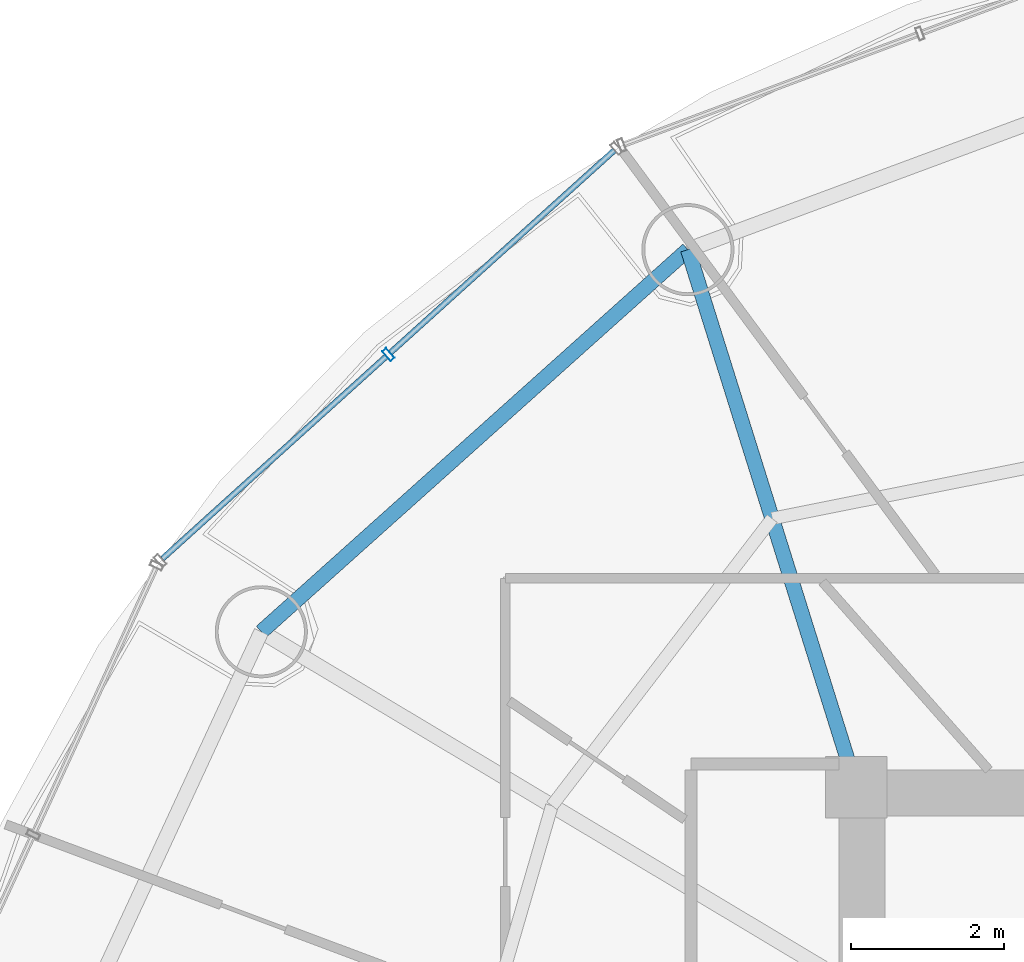
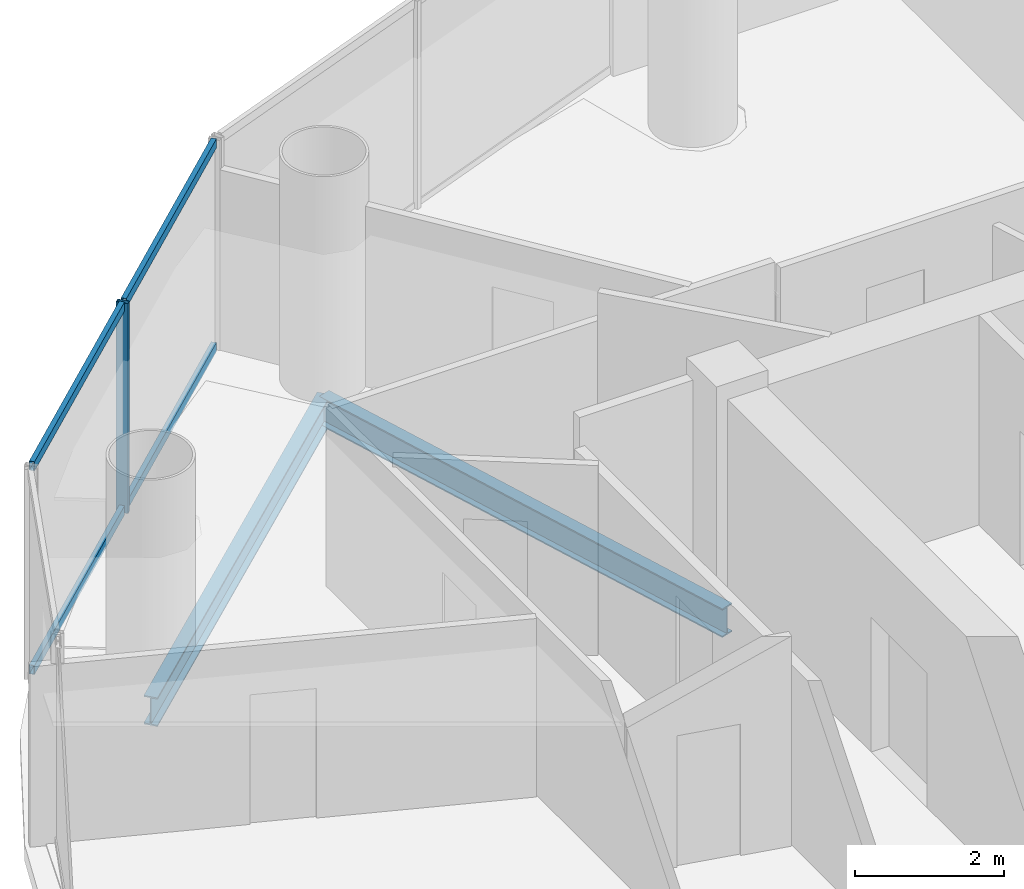
# One storey, part 14 of 26: 5 members, 2 beams, 1 element without a shape of its own.
"""IFC4 building model written with IfcOpenShell, lengths in metres."""

from ifc_helpers import new_model, si_unit, direction, frame, origin, origin_2d, place, context, subcontext, project, spatial, hollow_rectangle, i_section, extrude, source, transform, mapped, material, material_profile, profile_set, type_object, element, aggregate, save


model = new_model("IFC4")

# Units and contexts
model_context = context("Model", 3, precision=1e-05, world=origin(), true_north=direction((-0.2419218956, 0.970295726276)))
body_context = subcontext(model_context, "Body", "Model", "MODEL_VIEW")
ifc_project = project(units=[si_unit("LENGTHUNIT", "METRE"), si_unit("AREAUNIT", "SQUARE_METRE"), si_unit("VOLUMEUNIT", "CUBIC_METRE"), si_unit("PLANEANGLEUNIT", "RADIAN"), si_unit("MASSUNIT", "GRAM", prefix="KILO")], contexts=[model_context])

# Site, building, storey
site_placement = place(None, origin())
site = spatial("IfcSite", under=ifc_project, at=site_placement, CompositionType="ELEMENT")
building_placement = place(site_placement, origin())
building = spatial("IfcBuilding", under=site, at=building_placement, Name="Cobrevalo Terracotta Tower", CompositionType="ELEMENT")
storey_placement = place(building_placement, frame((0.0, 0.0, 209.699951171875)))
storey = spatial("IfcBuildingStorey", under=building, at=storey_placement, Name="L55", CompositionType="ELEMENT", Elevation=209.699951171875)

# Beams
ifc_material_1 = material(Name="Steel S355", Category="steel")
ifc_material_profile_1 = material_profile(ifc_material_1, i_section(OverallWidth=0.194091796875, OverallDepth=0.468994140625, WebThickness=0.011474609375, FlangeThickness=0.0205078125, at=origin_2d()), Name="W 460x106")
ifc_profile_set_1 = profile_set([ifc_material_profile_1], Name="Steel S355")
beam_type_1 = type_object("IfcBeamType", Name="Structural Beam W 460x106 (Steel S355)", PredefinedType="BEAM", material=ifc_profile_set_1)
beam_1_placement = place(storey_placement, frame((26.80517578125, 41.80810546875, -0.49951171875), z_axis=(0.298871212691, -0.954293454984, 0.0), x_axis=(0.954293454984, 0.298871212691, 0.0)))
element("IfcBeam", 1, at=beam_1_placement, inside=storey, type_object=beam_type_1, Name="L55 radial floor girder 06", PredefinedType="BEAM", context=body_context, shape_type="SweptSolid", body=[
    extrude(i_section(OverallWidth=0.194091796875, OverallDepth=0.468994140625, WebThickness=0.011474609375, FlangeThickness=0.0205078125, at=origin_2d()), origin(), (0.0, 0.0, 1.0), 7.34375),
])
ifc_material_profile_2 = material_profile(ifc_material_1, i_section(OverallWidth=0.194091796875, OverallDepth=0.468994140625, WebThickness=0.011474609375, FlangeThickness=0.0205078125, at=origin_2d()), Name="W 460x106")
ifc_profile_set_2 = profile_set([ifc_material_profile_2], Name="Steel S355")
beam_type_2 = type_object("IfcBeamType", Name="Structural Spandrel W 460x106 (Steel S355)", PredefinedType="SPANDREL", material=ifc_profile_set_2)
beam_2_placement = place(storey_placement, frame((26.80517578125, 41.80810546875, -0.49951171875), z_axis=(-0.744851930997, -0.667229796165, 0.0), x_axis=(0.667229796165, -0.744851930997, 0.0)))
element("IfcBeam", 2, at=beam_2_placement, inside=storey, type_object=beam_type_2, Name="L55 perimeter ring spandrel 06", PredefinedType="SPANDREL", context=body_context, shape_type="SweptSolid", body=[
    extrude(i_section(OverallWidth=0.194091796875, OverallDepth=0.468994140625, WebThickness=0.011474609375, FlangeThickness=0.0205078125, at=origin_2d()), origin(), (0.0, 0.0, 1.0), 7.463623046875),
])

# Curtain wall, members
ifc_material_2 = material(Name="Anodized aluminium", Category="aluminium")
curtain_wall_type = type_object("IfcCurtainWallType", Name="Mid-tower high-wind unitised curtain wall CW-U2", PredefinedType="NOTDEFINED", material=ifc_material_2)
curtain_wall_placement = place(storey_placement, origin())
curtain_wall = element("IfcCurtainWall", 3, at=curtain_wall_placement, inside=storey, type_object=curtain_wall_type, Name="L55 curtain wall CW-L55-S06", PredefinedType="NOTDEFINED")
ifc_material_profile_3 = material_profile(ifc_material_2, hollow_rectangle(XDim=0.074951171875, YDim=0.14990234375, WallThickness=0.00439453125, at=origin_2d()), Name="CWT 75x150")
ifc_profile_set_3 = profile_set([ifc_material_profile_3], Name="Anodized aluminium")
member_type_1 = type_object("IfcMemberType", Name="Tower unitised aluminium transom 75x150", PredefinedType="USERDEFINED", material=ifc_profile_set_3)
shared_shape_1 = source(origin(), body_context, "Body", "SweptSolid", [
    extrude(hollow_rectangle(XDim=0.074951171875, YDim=0.14990234375, WallThickness=0.00439453125, at=origin_2d()), origin(), (0.0, 0.0, 1.0), 3.927490234375),
])
member_1_placement = place(storey_placement, frame((22.872314453125, 40.414794921875, 0.050048828125), z_axis=(-0.741975952623, -0.670426495396, 0.0), x_axis=(0.670426495396, -0.741975952623, 0.0)))
member_1 = element("IfcMember", 4, at=member_1_placement, type_object=member_type_1, Name="CW-L55-S06 transom B02-T1", ObjectType="TRANSOM", PredefinedType="USERDEFINED", context=body_context, shape_type="MappedRepresentation", body=[
    mapped(shared_shape_1, transform((0.0, 0.0, 0.0), scale=1.0)),
])
member_2_placement = place(storey_placement, frame((22.872314453125, 40.414794921875, 3.385009765625), z_axis=(-0.741975952623, -0.670426495396, 0.0), x_axis=(0.670426495396, -0.741975952623, 0.0)))
member_2 = element("IfcMember", 5, at=member_2_placement, type_object=member_type_1, Name="CW-L55-S06 transom B02-T2", ObjectType="TRANSOM", PredefinedType="USERDEFINED", context=body_context, shape_type="MappedRepresentation", body=[
    mapped(shared_shape_1, transform((0.0, 0.0, 0.0), scale=1.0)),
])
shared_shape_2 = source(origin(), body_context, "Body", "SweptSolid", [
    extrude(hollow_rectangle(XDim=0.074951171875, YDim=0.14990234375, WallThickness=0.00439453125, at=origin_2d()), origin(), (0.0, 0.0, 1.0), 3.927734375),
])
member_3_placement = place(storey_placement, frame((25.845947265625, 43.101318359375, 0.050048828125), z_axis=(-0.742003891138, -0.670395573923, 0.0), x_axis=(0.670395573923, -0.742003891138, 0.0)))
member_3 = element("IfcMember", 6, at=member_3_placement, type_object=member_type_1, Name="CW-L55-S06 transom B01-T1", ObjectType="TRANSOM", PredefinedType="USERDEFINED", context=body_context, shape_type="MappedRepresentation", body=[
    mapped(shared_shape_2, transform((0.0, 0.0, 0.0), scale=1.0)),
])
member_4_placement = place(storey_placement, frame((25.845947265625, 43.101318359375, 3.385009765625), z_axis=(-0.742003891138, -0.670395573923, 0.0), x_axis=(0.670395573923, -0.742003891138, 0.0)))
member_4 = element("IfcMember", 7, at=member_4_placement, type_object=member_type_1, Name="CW-L55-S06 transom B01-T2", ObjectType="TRANSOM", PredefinedType="USERDEFINED", context=body_context, shape_type="MappedRepresentation", body=[
    mapped(shared_shape_2, transform((0.0, 0.0, 0.0), scale=1.0)),
])
ifc_material_profile_4 = material_profile(ifc_material_2, hollow_rectangle(XDim=0.070068359375, YDim=0.169921875, WallThickness=0.00439453125, at=origin_2d()), Name="CWM 70x170")
ifc_profile_set_4 = profile_set([ifc_material_profile_4], Name="Anodized aluminium")
member_type_2 = type_object("IfcMemberType", Name="Upper tower unitised mullion 70x170", PredefinedType="MULLION", material=ifc_profile_set_4)
shared_shape_3 = source(origin(), body_context, "Body", "SweptSolid", [
    extrude(hollow_rectangle(XDim=0.070068359375, YDim=0.169921875, WallThickness=0.00439453125, at=origin_2d()), origin(), (0.0, 0.0, 1.0), 3.43505859375),
])
member_5_placement = place(storey_placement, frame((22.902099609375, 40.441650390625, 0.0), z_axis=(0.0, 0.0, 1.0), x_axis=(-0.741987542015, -0.670413668935, 0.0)))
member_5 = element("IfcMember", 8, at=member_5_placement, type_object=member_type_2, Name="CW-L55-S06 vertical mullion 02", PredefinedType="MULLION", context=body_context, shape_type="MappedRepresentation", body=[
    mapped(shared_shape_3, transform((0.0, 0.0, 0.0), scale=1.0)),
])
aggregate(curtain_wall, [member_5, member_3, member_4, member_1, member_2])

save(model, "model.ifc")
